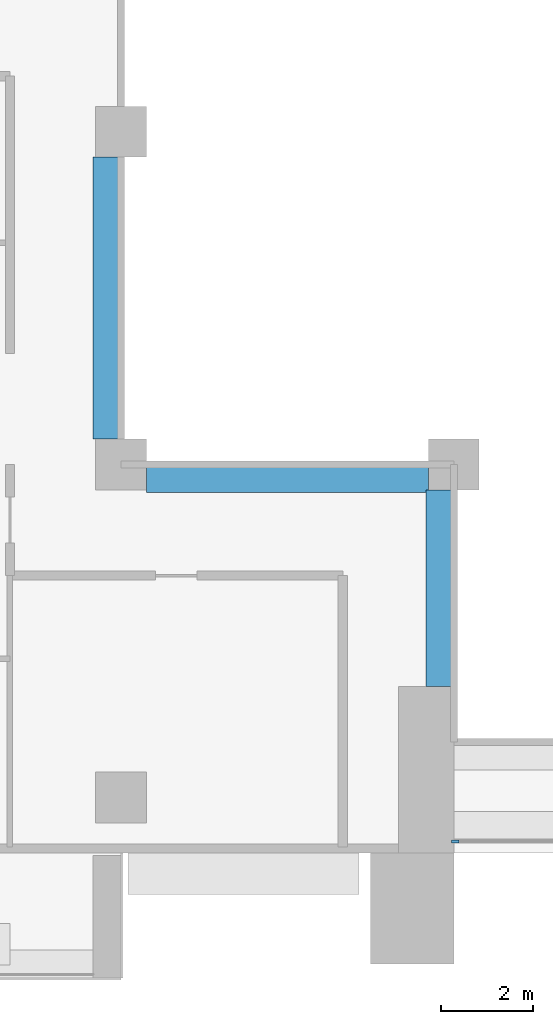
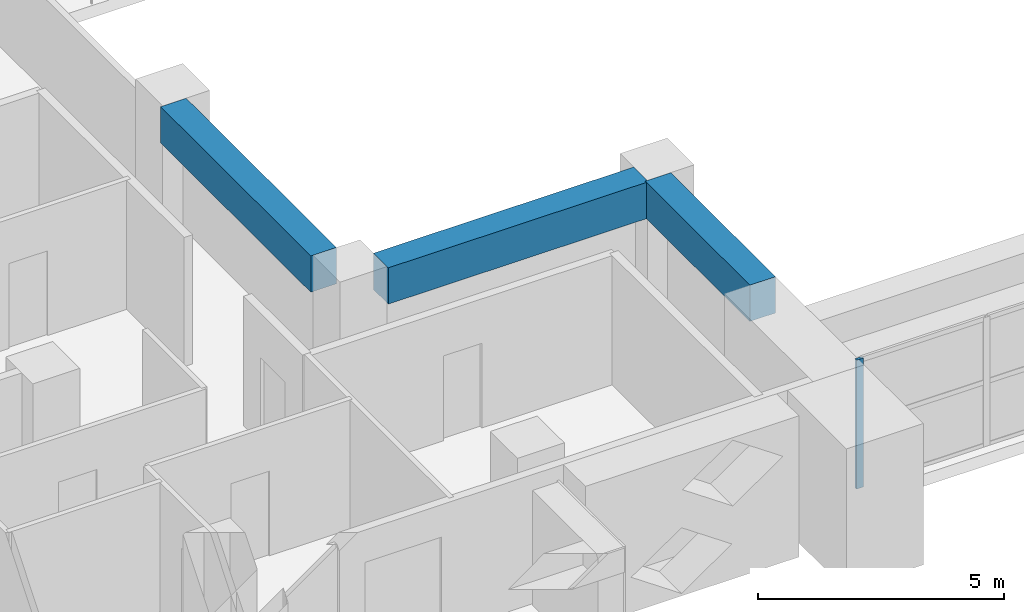
# One storey, part 2 of 20: 3 beams, 1 member, 1 element without a shape of its own.
"""IFC4 building model written with IfcOpenShell, lengths in metres."""

from ifc_helpers import new_model, si_unit, direction, frame, origin, origin_2d, place, context, subcontext, project, spatial, rectangle, extrude, source, transform, mapped, material, layer, layer_set, material_profile, profile_set, type_object, element, aggregate, save


model = new_model("IFC4")

# Units and contexts
model_context = context("Model", 3, precision=1e-05, world=origin(), true_north=direction((0.0, 1.0)))
body_context = subcontext(model_context, "Body", "Model", "MODEL_VIEW")
ifc_project = project(units=[si_unit("LENGTHUNIT", "METRE"), si_unit("AREAUNIT", "SQUARE_METRE"), si_unit("VOLUMEUNIT", "CUBIC_METRE"), si_unit("PLANEANGLEUNIT", "RADIAN"), si_unit("MASSUNIT", "GRAM", prefix="KILO")], contexts=[model_context])

# Site, building, storey
site_placement = place(None, origin())
site = spatial("IfcSite", under=ifc_project, at=site_placement, CompositionType="ELEMENT")
building_placement = place(site_placement, origin())
building = spatial("IfcBuilding", under=site, at=building_placement, Name="Saffron Iwan Residences", CompositionType="ELEMENT")
storey_placement = place(building_placement, frame((0.0, 0.0, 127.0)))
storey = spatial("IfcBuildingStorey", under=building, at=storey_placement, Name="L33", CompositionType="ELEMENT", Elevation=127.0)

# Beams
ifc_material_1 = material(Name="Concrete C50/60", Category="concrete")
ifc_material_profile_1 = material_profile(ifc_material_1, rectangle(XDim=0.60009765625, YDim=0.89990234375, at=origin_2d()), Name="RC 600x900")
ifc_profile_set_1 = profile_set([ifc_material_profile_1], Name="Concrete C50/60")
beam_type = type_object("IfcBeamType", Name="BEAM RC 600x900 C50/60 TOP 3200", PredefinedType="BEAM", material=ifc_profile_set_1)
shared_shape_1 = source(origin(), body_context, "Body", "SweptSolid", [
    extrude(rectangle(XDim=0.60009765625, YDim=0.89990234375, at=origin_2d()), origin(), (0.0, 0.0, 1.0), 4.25),
])
beam_placement = place(storey_placement, frame((42.89990234375, 43.199951171875, 2.75), z_axis=(0.0, 1.0, 0.0), x_axis=(-1.0, 0.0, 0.0)))
element("IfcBeam", 1, at=beam_placement, inside=storey, type_object=beam_type, Name="Atrium edge beam", PredefinedType="BEAM", context=body_context, shape_type="MappedRepresentation", body=[
    mapped(shared_shape_1, transform((0.0, 0.0, 0.0))),
])
shared_shape_2 = source(origin(), body_context, "Body", "SweptSolid", [
    extrude(rectangle(XDim=0.60009765625, YDim=0.89990234375, at=origin_2d()), origin(), (0.0, 0.0, 1.0), 6.099853515625),
])
for number, where, z_axis, x_axis, name in (
    (2, (42.64990234375, 47.699951171875, 2.75), (-1.0, 0.0, 0.0), (0.0, -1.0, 0.0), "Atrium edge beam"),
    (3, (35.699951171875, 48.550048828125, 2.75), (0.0, 1.0, 0.0), (-1.0, 0.0, 0.0), "Atrium edge beam"),
):
    element("IfcBeam", number, at=place(storey_placement, frame(where, z_axis=z_axis, x_axis=x_axis)), inside=storey, type_object=beam_type, Name=name, PredefinedType="BEAM", context=body_context, shape_type="MappedRepresentation", body=[
        mapped(shared_shape_2, transform((0.0, 0.0, 0.0))),
    ])

# Curtain wall, member
ifc_material_2 = material(Name="Clear glass, laminated double glazed", Category="glass")
ifc_layer = layer(ifc_material_2, 0.199951171875)
ifc_layer_set = layer_set([ifc_layer], Name="Clear glass, laminated double glazed")
curtain_wall_type = type_object("IfcCurtainWallType", Name="CW-B IWAN PORTAL", PredefinedType="NOTDEFINED", material=ifc_layer_set)
curtain_wall_placement = place(storey_placement, origin())
curtain_wall = element("IfcCurtainWall", 4, at=curtain_wall_placement, inside=storey, type_object=curtain_wall_type, Name="Iwan portal glazing L33.1", PredefinedType="NOTDEFINED")
ifc_material_3 = material(Name="Aluminium 6063-T6", Category="aluminium")
ifc_material_profile_2 = material_profile(ifc_material_3, rectangle(XDim=0.06005859375, YDim=0.159912109375, at=origin_2d()), Name="CW-B MULLION 60 x 160")
ifc_profile_set_2 = profile_set([ifc_material_profile_2], Name="Aluminium 6063-T6")
member_type = type_object("IfcMemberType", Name="CW-B MULLION 60 x 160", PredefinedType="MULLION", material=ifc_profile_set_2)
shared_shape_3 = source(origin(), body_context, "Body", "SweptSolid", [
    extrude(rectangle(XDim=0.06005859375, YDim=0.159912109375, at=origin_2d()), origin(), (0.0, 0.0, 1.0), 3.199951171875),
])
member_placement = place(storey_placement, frame((43.22998046875, 39.85009765625, 0.0), z_axis=(0.0, 0.0, 1.0), x_axis=(0.0, 1.0, 0.0)))
member = element("IfcMember", 5, at=member_placement, type_object=member_type, Name="CW-B mullion 1", PredefinedType="MULLION", context=body_context, shape_type="MappedRepresentation", body=[
    mapped(shared_shape_3, transform((0.0, 0.0, 0.0))),
])
aggregate(curtain_wall, [member])

save(model, "model.ifc")
